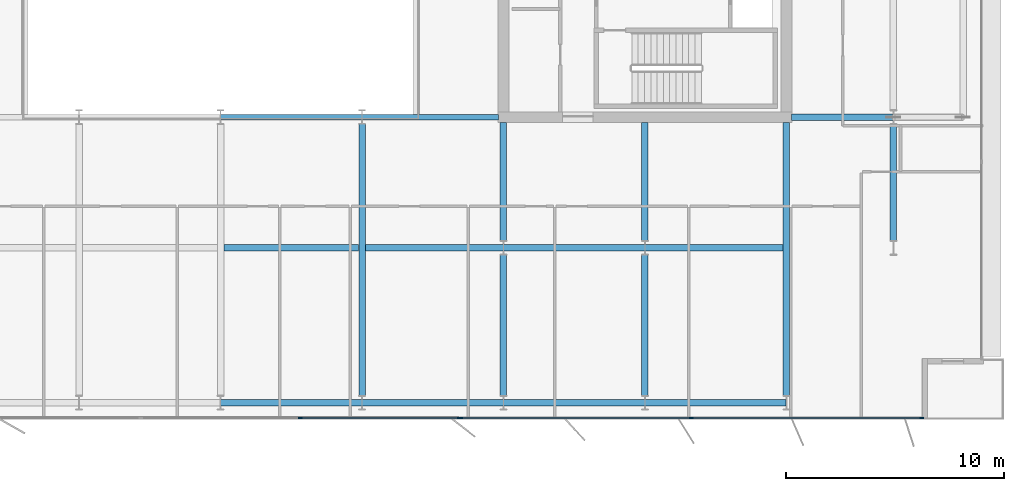
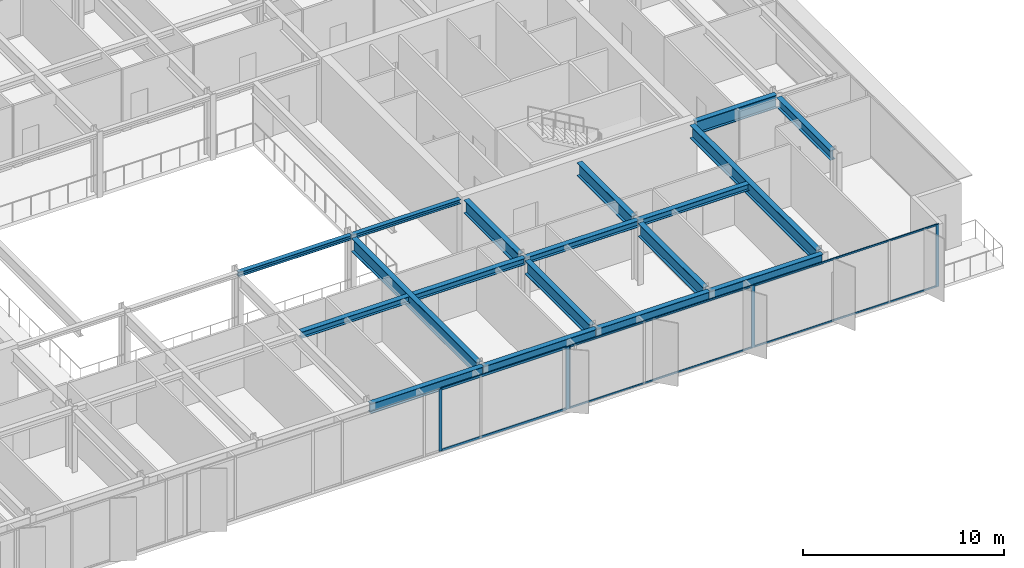
# One storey, part 6 of 20: 18 beams, 11 members, 2 elements without a shape of their own.
"""IFC4 building model written with IfcOpenShell, lengths in metres."""

from ifc_helpers import new_model, si_unit, direction, frame, origin, origin_2d, place, context, subcontext, project, spatial, rectangle, i_section, extrude, material, layer, layer_set, material_profile, profile_set, type_object, element, aggregate, save


model = new_model("IFC4")

# Units and contexts
model_context = context("Model", 3, precision=1e-05, world=origin(), true_north=direction((0.0, 1.0)))
body_context = subcontext(model_context, "Body", "Model", "MODEL_VIEW")
ifc_project = project(units=[si_unit("LENGTHUNIT", "METRE"), si_unit("AREAUNIT", "SQUARE_METRE"), si_unit("VOLUMEUNIT", "CUBIC_METRE"), si_unit("PLANEANGLEUNIT", "RADIAN"), si_unit("MASSUNIT", "GRAM", prefix="KILO")], contexts=[model_context])

# Site, building, storey
site_placement = place(None, origin())
site = spatial("IfcSite", under=ifc_project, at=site_placement, CompositionType="ELEMENT")
building_placement = place(site_placement, origin())
building = spatial("IfcBuilding", under=site, at=building_placement, Name="Putna Gate Headquarters", CompositionType="ELEMENT")
storey_placement = place(building_placement, frame((0.0, 0.0, 302.39990234375)))
storey = spatial("IfcBuildingStorey", under=building, at=storey_placement, Name="L76", CompositionType="ELEMENT", Elevation=302.39990234375)

# Beams
ifc_material_1 = material(Name="Steel S355J2", Category="steel")
ifc_material_profile_1 = material_profile(ifc_material_1, i_section(OverallWidth=0.260009765625, OverallDepth=0.260009765625, WebThickness=0.010009765625, FlangeThickness=0.017578125, at=origin_2d()), Name="Steel S355J2")
ifc_profile_set_1 = profile_set([ifc_material_profile_1], Name="Steel S355J2")
beam_type_1 = type_object("IfcBeamType", Name="BM-ATRIUM-HEB260", PredefinedType="BEAM", material=ifc_profile_set_1)
beam_1_placement = place(storey_placement, frame((39.006103515625, 19.0, 3.658203125), z_axis=(1.0, 0.0, 0.0), x_axis=(0.0, 1.0, 0.0)))
element("IfcBeam", 1, at=beam_1_placement, inside=storey, type_object=beam_type_1, Name="L76 Atrium Edge Beam AS3", PredefinedType="BEAM", context=body_context, shape_type="SweptSolid", body=[
    extrude(i_section(OverallWidth=0.260009765625, OverallDepth=0.260009765625, WebThickness=0.010009765625, FlangeThickness=0.017578125, at=origin_2d()), origin(), (0.0, 0.0, 1.0), 6.48779296875),
])
beam_2_placement = place(storey_placement, frame((45.506103515625, 19.0, 3.658203125), z_axis=(1.0, 0.0, 0.0), x_axis=(0.0, 1.0, 0.0)))
element("IfcBeam", 2, at=beam_2_placement, inside=storey, type_object=beam_type_1, Name="L76 Atrium Edge Beam AS4", PredefinedType="BEAM", context=body_context, shape_type="SweptSolid", body=[
    extrude(i_section(OverallWidth=0.260009765625, OverallDepth=0.260009765625, WebThickness=0.010009765625, FlangeThickness=0.017578125, at=origin_2d()), origin(), (0.0, 0.0, 1.0), 6.2587890625),
])
ifc_material_profile_2 = material_profile(ifc_material_1, i_section(OverallWidth=0.300048828125, OverallDepth=0.800048828125, WebThickness=0.017578125, FlangeThickness=0.032958984375, at=origin_2d()), Name="Steel S355J2")
ifc_profile_set_2 = profile_set([ifc_material_profile_2], Name="Steel S355J2")
beam_type_2 = type_object("IfcBeamType", Name="BM-GIRD-P-HEB800", PredefinedType="USERDEFINED", material=ifc_profile_set_2)
beam_3_placement = place(storey_placement, frame((65.235107421875, 19.0, 3.38818359375), z_axis=(1.0, 0.0, 0.0), x_axis=(0.0, 1.0, 0.0)))
element("IfcBeam", 3, at=beam_3_placement, inside=storey, type_object=beam_type_2, Name="L76 East Wing Girder Y19", ObjectType="GIRDER", PredefinedType="USERDEFINED", context=body_context, shape_type="SweptSolid", body=[
    extrude(i_section(OverallWidth=0.300048828125, OverallDepth=0.800048828125, WebThickness=0.017578125, FlangeThickness=0.032958984375, at=origin_2d()), origin(), (0.0, 0.0, 1.0), 4.678955078125),
])
beam_4_placement = place(storey_placement, frame((45.5, 6.201904296875, 3.38818359375), z_axis=(0.0, 1.0, 0.0), x_axis=(-1.0, 0.0, 0.0)))
element("IfcBeam", 4, at=beam_4_placement, inside=storey, type_object=beam_type_2, Name="L76 South Primary Girder X45", ObjectType="GIRDER", PredefinedType="USERDEFINED", context=body_context, shape_type="SweptSolid", body=[
    extrude(i_section(OverallWidth=0.300048828125, OverallDepth=0.800048828125, WebThickness=0.017578125, FlangeThickness=0.032958984375, at=origin_2d()), origin(), (0.0, 0.0, 1.0), 12.47607421875),
])
beam_5_placement = place(storey_placement, frame((52.0, 6.201904296875, 3.38818359375), z_axis=(0.0, 1.0, 0.0), x_axis=(-1.0, 0.0, 0.0)))
element("IfcBeam", 5, at=beam_5_placement, inside=storey, type_object=beam_type_2, Name="L76 South Primary Girder X52-1", ObjectType="GIRDER", PredefinedType="USERDEFINED", context=body_context, shape_type="SweptSolid", body=[
    extrude(i_section(OverallWidth=0.300048828125, OverallDepth=0.800048828125, WebThickness=0.017578125, FlangeThickness=0.032958984375, at=origin_2d()), origin(), (0.0, 0.0, 1.0), 6.47607421875),
])
beam_6_placement = place(storey_placement, frame((52.0, 13.322021484375, 3.38818359375), z_axis=(0.0, 1.0, 0.0), x_axis=(-1.0, 0.0, 0.0)))
element("IfcBeam", 6, at=beam_6_placement, inside=storey, type_object=beam_type_2, Name="L76 South Primary Girder X52-2", ObjectType="GIRDER", PredefinedType="USERDEFINED", context=body_context, shape_type="SweptSolid", body=[
    extrude(i_section(OverallWidth=0.300048828125, OverallDepth=0.800048828125, WebThickness=0.017578125, FlangeThickness=0.032958984375, at=origin_2d()), origin(), (0.0, 0.0, 1.0), 5.44287109375),
])
beam_7_placement = place(storey_placement, frame((58.5, 6.201904296875, 3.38818359375), z_axis=(0.0, 1.0, 0.0), x_axis=(-1.0, 0.0, 0.0)))
element("IfcBeam", 7, at=beam_7_placement, inside=storey, type_object=beam_type_2, Name="L76 South Primary Girder X58-1", ObjectType="GIRDER", PredefinedType="USERDEFINED", context=body_context, shape_type="SweptSolid", body=[
    extrude(i_section(OverallWidth=0.300048828125, OverallDepth=0.800048828125, WebThickness=0.017578125, FlangeThickness=0.032958984375, at=origin_2d()), origin(), (0.0, 0.0, 1.0), 6.47607421875),
])
beam_8_placement = place(storey_placement, frame((58.5, 13.322021484375, 3.38818359375), z_axis=(0.0, 1.0, 0.0), x_axis=(-1.0, 0.0, 0.0)))
element("IfcBeam", 8, at=beam_8_placement, inside=storey, type_object=beam_type_2, Name="L76 South Primary Girder X58-2", ObjectType="GIRDER", PredefinedType="USERDEFINED", context=body_context, shape_type="SweptSolid", body=[
    extrude(i_section(OverallWidth=0.300048828125, OverallDepth=0.800048828125, WebThickness=0.017578125, FlangeThickness=0.032958984375, at=origin_2d()), origin(), (0.0, 0.0, 1.0), 5.44287109375),
])
beam_9_placement = place(storey_placement, frame((65.0, 6.201904296875, 3.38818359375), z_axis=(0.0, 1.0, 0.0), x_axis=(-1.0, 0.0, 0.0)))
element("IfcBeam", 9, at=beam_9_placement, inside=storey, type_object=beam_type_2, Name="L76 South Primary Girder X65", ObjectType="GIRDER", PredefinedType="USERDEFINED", context=body_context, shape_type="SweptSolid", body=[
    extrude(i_section(OverallWidth=0.300048828125, OverallDepth=0.800048828125, WebThickness=0.017578125, FlangeThickness=0.032958984375, at=origin_2d()), origin(), (0.0, 0.0, 1.0), 12.56298828125),
])
ifc_material_profile_3 = material_profile(ifc_material_1, i_section(OverallWidth=0.300048828125, OverallDepth=0.389892578125, WebThickness=0.010986328125, FlangeThickness=0.01904296875, at=origin_2d()), Name="Steel S355J2")
ifc_profile_set_3 = profile_set([ifc_material_profile_3], Name="Steel S355J2")
beam_type_3 = type_object("IfcBeamType", Name="BM-SEC-Z5-HEA400", PredefinedType="BEAM", material=ifc_profile_set_3)
beam_10_placement = place(storey_placement, frame((39.154052734375, 13.0, 3.593017578125), z_axis=(1.0, 0.0, 0.0), x_axis=(0.0, 1.0, 0.0)))
element("IfcBeam", 10, at=beam_10_placement, inside=storey, type_object=beam_type_3, Name="L76 South Secondary Beam 5", PredefinedType="BEAM", context=body_context, shape_type="SweptSolid", body=[
    extrude(i_section(OverallWidth=0.300048828125, OverallDepth=0.389892578125, WebThickness=0.010986328125, FlangeThickness=0.01904296875, at=origin_2d()), origin(), (0.0, 0.0, 1.0), 6.19189453125),
])
beam_11_placement = place(storey_placement, frame((45.654052734375, 13.0, 3.593017578125), z_axis=(1.0, 0.0, 0.0), x_axis=(0.0, 1.0, 0.0)))
element("IfcBeam", 11, at=beam_11_placement, inside=storey, type_object=beam_type_3, Name="L76 South Secondary Beam 6", PredefinedType="BEAM", context=body_context, shape_type="SweptSolid", body=[
    extrude(i_section(OverallWidth=0.300048828125, OverallDepth=0.389892578125, WebThickness=0.010986328125, FlangeThickness=0.01904296875, at=origin_2d()), origin(), (0.0, 0.0, 1.0), 6.33984375),
])
beam_12_placement = place(storey_placement, frame((52.006103515625, 13.0, 3.593017578125), z_axis=(1.0, 0.0, 0.0), x_axis=(0.0, 1.0, 0.0)))
element("IfcBeam", 12, at=beam_12_placement, inside=storey, type_object=beam_type_3, Name="L76 South Secondary Beam 7", PredefinedType="BEAM", context=body_context, shape_type="SweptSolid", body=[
    extrude(i_section(OverallWidth=0.300048828125, OverallDepth=0.389892578125, WebThickness=0.010986328125, FlangeThickness=0.01904296875, at=origin_2d()), origin(), (0.0, 0.0, 1.0), 6.48779296875),
])
beam_13_placement = place(storey_placement, frame((58.506103515625, 13.0, 3.593017578125), z_axis=(1.0, 0.0, 0.0), x_axis=(0.0, 1.0, 0.0)))
element("IfcBeam", 13, at=beam_13_placement, inside=storey, type_object=beam_type_3, Name="L76 South Secondary Beam 8", PredefinedType="BEAM", context=body_context, shape_type="SweptSolid", body=[
    extrude(i_section(OverallWidth=0.300048828125, OverallDepth=0.389892578125, WebThickness=0.010986328125, FlangeThickness=0.01904296875, at=origin_2d()), origin(), (0.0, 0.0, 1.0), 6.33984375),
])
ifc_material_profile_4 = material_profile(ifc_material_1, i_section(OverallWidth=0.300048828125, OverallDepth=0.590087890625, WebThickness=0.012939453125, FlangeThickness=0.02490234375, at=origin_2d()), Name="Steel S355J2")
ifc_profile_set_4 = profile_set([ifc_material_profile_4], Name="Steel S355J2")
beam_type_4 = type_object("IfcBeamType", Name="BM-SPAN-Z4-HEA600", PredefinedType="SPANDREL", material=ifc_profile_set_4)
for number, where, z_axis, x_axis, name in (
    (14, (39.006103515625, 5.8798828125, 3.4931640625), (1.0, 0.0, 0.0), (0.0, 1.0, 0.0), "L76 S Perimeter Spandrel 5"),
    (15, (45.506103515625, 5.8798828125, 3.4931640625), (1.0, 0.0, 0.0), (0.0, 1.0, 0.0), "L76 S Perimeter Spandrel 6"),
    (16, (52.006103515625, 5.8798828125, 3.4931640625), (1.0, 0.0, 0.0), (0.0, 1.0, 0.0), "L76 S Perimeter Spandrel 7"),
    (17, (58.506103515625, 5.8798828125, 3.4931640625), (1.0, 0.0, 0.0), (0.0, 1.0, 0.0), "L76 S Perimeter Spandrel 8"),
):
    element("IfcBeam", number, at=place(storey_placement, frame(where, z_axis=z_axis, x_axis=x_axis)), inside=storey, type_object=beam_type_4, Name=name, PredefinedType="SPANDREL", context=body_context, shape_type="SweptSolid", body=[
        extrude(i_section(OverallWidth=0.300048828125, OverallDepth=0.590087890625, WebThickness=0.012939453125, FlangeThickness=0.02490234375, at=origin_2d()), origin(), (0.0, 0.0, 1.0), 6.48779296875),
    ])
beam_14_placement = place(storey_placement, frame((69.919921875, 13.322021484375, 3.4931640625), z_axis=(0.0, 1.0, 0.0), x_axis=(-1.0, 0.0, 0.0)))
element("IfcBeam", 18, at=beam_14_placement, inside=storey, type_object=beam_type_4, Name="L76 E End Spandrel 1", PredefinedType="SPANDREL", context=body_context, shape_type="SweptSolid", body=[
    extrude(i_section(OverallWidth=0.300048828125, OverallDepth=0.590087890625, WebThickness=0.012939453125, FlangeThickness=0.02490234375, at=origin_2d()), origin(), (0.0, 0.0, 1.0), 5.35595703125),
])

# Curtain wall, members
ifc_material_2 = material(Name="Anodised bronze aluminium curtain wall", Category="aluminium")
ifc_layer_1 = layer(ifc_material_2, 0.179931640625)
ifc_layer_set_1 = layer_set([ifc_layer_1], Name="Anodised bronze aluminium curtain wall")
curtain_wall_type_1 = type_object("IfcCurtainWallType", Name="CW-SYS-Z5", PredefinedType="USERDEFINED", material=ifc_layer_set_1)
curtain_wall_1_placement = place(storey_placement, origin())
curtain_wall_1 = element("IfcCurtainWall", 19, at=curtain_wall_1_placement, inside=storey, type_object=curtain_wall_type_1, Name="L76 South East Curtain Wall", ObjectType="STICK CURTAIN WALL", PredefinedType="USERDEFINED")
ifc_material_3 = material(Name="Anodised bronze aluminium EN AW-6060", Category="aluminium")
ifc_material_profile_5 = material_profile(ifc_material_3, rectangle(XDim=0.070068359375, YDim=0.179931640625, at=origin_2d()), Name="Anodised bronze aluminium EN AW-6060")
ifc_profile_set_5 = profile_set([ifc_material_profile_5], Name="Anodised bronze aluminium EN AW-6060")
member_type_1 = type_object("IfcMemberType", Name="MULL-CWM-5", PredefinedType="MULLION", material=ifc_profile_set_5)
member_1_placement = place(storey_placement, frame((50.034912109375, 5.179931640625, 0.0), z_axis=(0.0, 0.0, 1.0), x_axis=(0.0, 1.0, 0.0)))
member_1 = element("IfcMember", 20, at=member_1_placement, type_object=member_type_1, Name="CWS-5 mullion 1", PredefinedType="MULLION", context=body_context, shape_type="SweptSolid", body=[
    extrude(rectangle(XDim=0.070068359375, YDim=0.179931640625, at=origin_2d()), origin(), (0.0, 0.0, 1.0), 3.7880859375),
])
member_2_placement = place(storey_placement, frame((60.6259765625, 5.179931640625, 0.0), z_axis=(0.0, 0.0, 1.0), x_axis=(0.0, 1.0, 0.0)))
member_2 = element("IfcMember", 21, at=member_2_placement, type_object=member_type_1, Name="CWS-5 mullion 2", PredefinedType="MULLION", context=body_context, shape_type="SweptSolid", body=[
    extrude(rectangle(XDim=0.070068359375, YDim=0.179931640625, at=origin_2d()), origin(), (0.0, 0.0, 1.0), 3.7880859375),
])
member_3_placement = place(storey_placement, frame((71.217041015625, 5.179931640625, 0.0), z_axis=(0.0, 0.0, 1.0), x_axis=(0.0, 1.0, 0.0)))
member_3 = element("IfcMember", 22, at=member_3_placement, type_object=member_type_1, Name="CWS-5 mullion 3", PredefinedType="MULLION", context=body_context, shape_type="SweptSolid", body=[
    extrude(rectangle(XDim=0.070068359375, YDim=0.179931640625, at=origin_2d()), origin(), (0.0, 0.0, 1.0), 3.7880859375),
])

ifc_layer_2 = layer(ifc_material_2, 0.179931640625)
ifc_layer_set_2 = layer_set([ifc_layer_2], Name="Anodised bronze aluminium curtain wall")
curtain_wall_type_2 = type_object("IfcCurtainWallType", Name="CW-SYS-ATR", PredefinedType="USERDEFINED", material=ifc_layer_set_2)
curtain_wall_2_placement = place(storey_placement, origin())
curtain_wall_2 = element("IfcCurtainWall", 23, at=curtain_wall_2_placement, inside=storey, type_object=curtain_wall_type_2, Name="L76 South Atrium Clear Glazing", ObjectType="ATRIUM GLAZING", PredefinedType="USERDEFINED")
ifc_material_profile_6 = material_profile(ifc_material_3, rectangle(XDim=0.070068359375, YDim=0.179931640625, at=origin_2d()), Name="Anodised bronze aluminium EN AW-6060")
ifc_profile_set_6 = profile_set([ifc_material_profile_6], Name="Anodised bronze aluminium EN AW-6060")
member_type_2 = type_object("IfcMemberType", Name="MULL-CWM-AT", PredefinedType="MULLION", material=ifc_profile_set_6)
member_4_placement = place(storey_placement, frame((42.666748046875, 5.179931640625, 0.0), z_axis=(0.0, 0.0, 1.0), x_axis=(0.0, 1.0, 0.0)))
member_4 = element("IfcMember", 24, at=member_4_placement, type_object=member_type_2, Name="CWS-AT mullion 3", PredefinedType="MULLION", context=body_context, shape_type="SweptSolid", body=[
    extrude(rectangle(XDim=0.070068359375, YDim=0.179931640625, at=origin_2d()), origin(), (0.0, 0.0, 1.0), 3.7880859375),
])
member_5_placement = place(storey_placement, frame((49.965087890625, 5.179931640625, 0.0), z_axis=(0.0, 0.0, 1.0), x_axis=(0.0, 1.0, 0.0)))
member_5 = element("IfcMember", 25, at=member_5_placement, type_object=member_type_2, Name="CWS-AT mullion 4", PredefinedType="MULLION", context=body_context, shape_type="SweptSolid", body=[
    extrude(rectangle(XDim=0.070068359375, YDim=0.179931640625, at=origin_2d()), origin(), (0.0, 0.0, 1.0), 3.7880859375),
])

# Member
ifc_material_profile_7 = material_profile(ifc_material_3, rectangle(XDim=0.06005859375, YDim=0.10009765625, at=origin_2d()), Name="Anodised bronze aluminium EN AW-6060")
ifc_profile_set_7 = profile_set([ifc_material_profile_7], Name="Anodised bronze aluminium EN AW-6060")
member_type_3 = type_object("IfcMemberType", Name="TRAN-CWT-5", PredefinedType="USERDEFINED", material=ifc_profile_set_7)
member_6_placement = place(storey_placement, frame((50.070068359375, 5.179931640625, 0.030029296875), z_axis=(1.0, 0.0, 0.0), x_axis=(0.0, 1.0, 0.0)))
member_6 = element("IfcMember", 26, at=member_6_placement, type_object=member_type_3, Name="CWS-5 transom 1.1", ObjectType="TRANSOM", PredefinedType="USERDEFINED", context=body_context, shape_type="SweptSolid", body=[
    extrude(rectangle(XDim=0.06005859375, YDim=0.10009765625, at=origin_2d()), origin(), (0.0, 0.0, 1.0), 10.52099609375),
])

member_7_placement = place(storey_placement, frame((50.070068359375, 5.179931640625, 3.758056640625), z_axis=(1.0, 0.0, 0.0), x_axis=(0.0, 1.0, 0.0)))
member_7 = element("IfcMember", 27, at=member_7_placement, type_object=member_type_3, Name="CWS-5 transom 1.2", ObjectType="TRANSOM", PredefinedType="USERDEFINED", context=body_context, shape_type="SweptSolid", body=[
    extrude(rectangle(XDim=0.06005859375, YDim=0.10009765625, at=origin_2d()), origin(), (0.0, 0.0, 1.0), 10.52099609375),
])

member_8_placement = place(storey_placement, frame((60.6611328125, 5.179931640625, 0.030029296875), z_axis=(1.0, 0.0, 0.0), x_axis=(0.0, 1.0, 0.0)))
member_8 = element("IfcMember", 28, at=member_8_placement, type_object=member_type_3, Name="CWS-5 transom 2.1", ObjectType="TRANSOM", PredefinedType="USERDEFINED", context=body_context, shape_type="SweptSolid", body=[
    extrude(rectangle(XDim=0.06005859375, YDim=0.10009765625, at=origin_2d()), origin(), (0.0, 0.0, 1.0), 10.52099609375),
])

member_9_placement = place(storey_placement, frame((60.6611328125, 5.179931640625, 3.758056640625), z_axis=(1.0, 0.0, 0.0), x_axis=(0.0, 1.0, 0.0)))
member_9 = element("IfcMember", 29, at=member_9_placement, type_object=member_type_3, Name="CWS-5 transom 2.2", ObjectType="TRANSOM", PredefinedType="USERDEFINED", context=body_context, shape_type="SweptSolid", body=[
    extrude(rectangle(XDim=0.06005859375, YDim=0.10009765625, at=origin_2d()), origin(), (0.0, 0.0, 1.0), 10.52099609375),
])

aggregate(curtain_wall_1, [member_1, member_2, member_3, member_6, member_7, member_8, member_9])

ifc_material_profile_8 = material_profile(ifc_material_3, rectangle(XDim=0.070068359375, YDim=0.139892578125, at=origin_2d()), Name="Anodised bronze aluminium EN AW-6060")
ifc_profile_set_8 = profile_set([ifc_material_profile_8], Name="Anodised bronze aluminium EN AW-6060")
member_type_4 = type_object("IfcMemberType", Name="TRAN-CWT-AT", PredefinedType="USERDEFINED", material=ifc_profile_set_8)
member_10_placement = place(storey_placement, frame((42.70166015625, 5.179931640625, 0.03515625), z_axis=(1.0, 0.0, 0.0), x_axis=(0.0, 1.0, 0.0)))
member_10 = element("IfcMember", 30, at=member_10_placement, type_object=member_type_4, Name="CWS-AT transom 3.1", ObjectType="TRANSOM", PredefinedType="USERDEFINED", context=body_context, shape_type="SweptSolid", body=[
    extrude(rectangle(XDim=0.070068359375, YDim=0.139892578125, at=origin_2d()), origin(), (0.0, 0.0, 1.0), 7.228271484375),
])

member_11_placement = place(storey_placement, frame((42.70166015625, 5.179931640625, 3.753173828125), z_axis=(1.0, 0.0, 0.0), x_axis=(0.0, 1.0, 0.0)))
member_11 = element("IfcMember", 31, at=member_11_placement, type_object=member_type_4, Name="CWS-AT transom 3.2", ObjectType="TRANSOM", PredefinedType="USERDEFINED", context=body_context, shape_type="SweptSolid", body=[
    extrude(rectangle(XDim=0.070068359375, YDim=0.139892578125, at=origin_2d()), origin(), (0.0, 0.0, 1.0), 7.228271484375),
])

aggregate(curtain_wall_2, [member_4, member_5, member_10, member_11])

save(model, "model.ifc")
